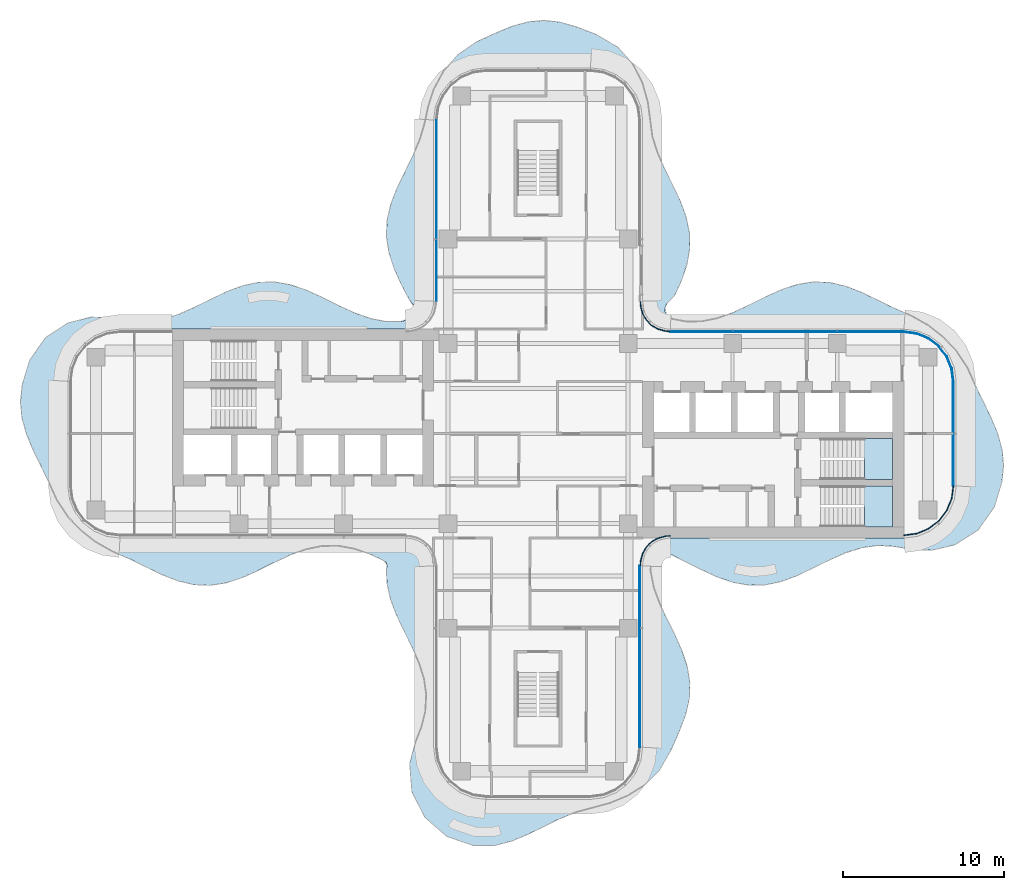
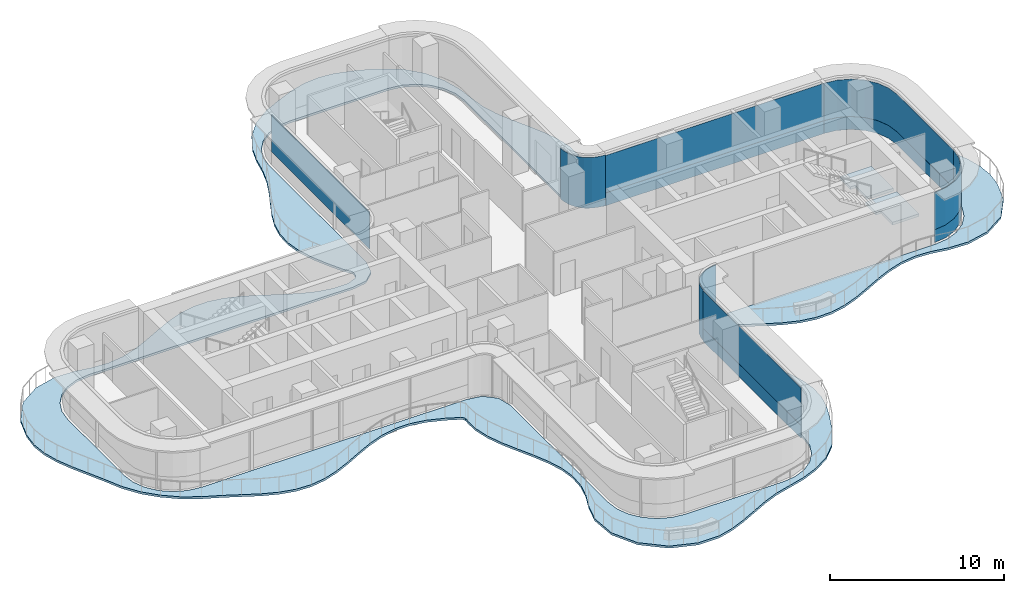
# One storey, part 9 of 16: 11 plates, 3 slabs, 9 elements without a shape of their own.
"""IFC4 building model written with IfcOpenShell, lengths in metres."""

from ifc_helpers import new_model, si_unit, direction, frame, origin, place, context, subcontext, project, spatial, polyline, outline, extrude, source, transform, mapped, material, layer, layer_set, type_object, element, aggregate, save


model = new_model("IFC4")

# Units and contexts
model_context = context("Model", 3, precision=1e-05, world=origin(), true_north=direction((0.0, 1.0)))
body_context = subcontext(model_context, "Body", "Model", "MODEL_VIEW")
ifc_project = project(units=[si_unit("LENGTHUNIT", "METRE"), si_unit("AREAUNIT", "SQUARE_METRE"), si_unit("VOLUMEUNIT", "CUBIC_METRE"), si_unit("PLANEANGLEUNIT", "RADIAN"), si_unit("MASSUNIT", "GRAM", prefix="KILO")], contexts=[model_context])

# Site, building, storey
site_placement = place(None, origin())
site = spatial("IfcSite", under=ifc_project, at=site_placement, CompositionType="ELEMENT")
building_placement = place(site_placement, origin())
building = spatial("IfcBuilding", under=site, at=building_placement, Name="Trellis Farm Tower", CompositionType="ELEMENT")
storey_placement = place(building_placement, frame((0.0, 0.0, 255.800048828125)))
storey = spatial("IfcBuildingStorey", under=building, at=storey_placement, Name="L57", CompositionType="ELEMENT", Elevation=255.800048828125)

# Slab
ifc_material_1 = material(Name="Concrete C40/50", Category="concrete")
ifc_layer_1 = layer(ifc_material_1, 0.14990234375)
ifc_layer_set_1 = layer_set([ifc_layer_1], Name="Balcony slab 150")
slab_type_1 = type_object("IfcSlabType", Name="Balcony slab 150", PredefinedType="FLOOR", material=ifc_layer_set_1)
slab_1_placement = place(storey_placement, frame((0.0, 0.0, -0.150146484375)))
element("IfcSlab", 1, at=slab_1_placement, inside=storey, type_object=slab_type_1, Name="Balcony slab", PredefinedType="FLOOR", context=body_context, shape_type="SweptSolid", body=[
    extrude(outline(polyline([(-27.558837890625, -6.70703125), (-28.428466796875, -6.01708984375), (-28.443115234375, -6.003662109375), (-29.22412109375, -5.194580078125), (-29.2412109375, -5.173095703125), (-29.922607421875, -4.142578125), (-29.93408203125, -4.121826171875), (-30.444091796875, -2.99658203125), (-30.445068359375, -2.99462890625), (-31.414306640625, -1.005126953125), (-31.41796875, -0.997314453125), (-31.826171875, -0.018798828125), (-31.832275390625, -0.001220703125), (-32.10107421875, 0.968505859375), (-32.10595703125, 0.99462890625), (-32.197021484375, 1.9609375), (-32.19677734375, 1.990478515625), (-32.08935546875, 3.014892578125), (-32.083984375, 3.042236328125), (-31.64111328125, 4.51806640625), (-31.62060546875, 4.560546875), (-30.648681640625, 5.956298828125), (-30.629638671875, 5.978515625), (-30.602783203125, 6.004638671875), (-30.579833984375, 6.022705078125), (-29.259765625, 6.876953125), (-29.21435546875, 6.896484375), (-27.80517578125, 7.24755859375), (-27.763427734375, 7.251953125), (-26.48681640625, 7.205078125), (-26.466552734375, 7.203125), (-25.396728515625, 7.0166015625), (-25.388427734375, 7.015625), (-24.418212890625, 6.956787109375), (-24.403564453125, 6.95751953125), (-23.358154296875, 7.101806640625), (-23.345703125, 7.104736328125), (-22.36962890625, 7.41552734375), (-22.362060546875, 7.41845703125), (-21.38134765625, 7.8525390625), (-21.37841796875, 7.85400390625), (-20.390380859375, 8.345947265625), (-20.3876953125, 8.34716796875), (-19.39306640625, 8.81884765625), (-19.38134765625, 8.82373046875), (-18.3955078125, 9.192626953125), (-18.37451171875, 9.19873046875), (-17.398681640625, 9.408447265625), (-17.370361328125, 9.41162109375), (-16.402587890625, 9.4326171875), (-16.37353515625, 9.430419921875), (-15.406982421875, 9.26220703125), (-15.384033203125, 9.25634765625), (-14.4111328125, 8.92333984375), (-14.397216796875, 8.91796875), (-13.420654296875, 8.4716796875), (-13.416015625, 8.469482421875), (-12.4248046875, 7.974365234375), (-12.422607421875, 7.973388671875), (-11.44091796875, 7.518310546875), (-11.43408203125, 7.515625), (-10.405029296875, 7.15478515625), (-10.39404296875, 7.151611328125), (-9.47021484375, 6.978515625), (-9.456298828125, 6.977294921875), (-8.518310546875, 6.978759765625), (-8.502685546875, 6.98046875), (-8.380126953125, 7.006591796875), (-8.36572265625, 7.01123046875), (-7.919921875, 7.20703125), (-7.90380859375, 7.216552734375), (-7.789794921875, 7.3056640625), (-7.767333984375, 7.334716796875), (-7.7099609375, 7.467529296875), (-7.70458984375, 7.485595703125), (-7.671630859375, 7.693359375), (-7.6708984375, 7.70849609375), (-7.676025390625, 7.826416015625), (-7.683349609375, 7.855224609375), (-7.734619140625, 7.961669921875), (-7.7421875, 7.97412109375), (-8.011474609375, 8.3310546875), (-8.0244140625, 8.351806640625), (-8.510009765625, 9.277099609375), (-8.51416015625, 9.285400390625), (-8.951171875, 10.257080078125), (-8.956787109375, 10.271728515625), (-9.277587890625, 11.243896484375), (-9.283447265625, 11.267578125), (-9.4365234375, 12.23388671875), (-9.438232421875, 12.26318359375), (-9.401123046875, 13.2314453125), (-9.3974609375, 13.25927734375), (-9.173095703125, 14.236083984375), (-9.1669921875, 14.25634765625), (-8.787109375, 15.242431640625), (-8.781982421875, 15.25439453125), (-7.814453125, 17.238037109375), (-7.81298828125, 17.2412109375), (-7.373046875, 18.259765625), (-7.3701171875, 18.267822265625), (-7.072998046875, 19.2568359375), (-7.0712890625, 19.2626953125), (-6.843994140625, 20.3271484375), (-6.840087890625, 20.341552734375), (-6.502685546875, 21.39599609375), (-6.4921875, 21.42138671875), (-5.906982421875, 22.510009765625), (-5.88818359375, 22.537109375), (-5.018310546875, 23.542236328125), (-4.989990234375, 23.567626953125), (-3.83056640625, 24.36572265625), (-3.8076171875, 24.378662109375), (-2.626220703125, 24.91650390625), (-2.621826171875, 24.91845703125), (-1.64404296875, 25.325927734375), (-1.6259765625, 25.332275390625), (-0.626220703125, 25.606689453125), (-0.599609375, 25.611328125), (0.37060546875, 25.69677734375), (0.399658203125, 25.6962890625), (1.336181640625, 25.595458984375), (1.361572265625, 25.590576171875), (2.361083984375, 25.302978515625), (2.372802734375, 25.29931640625), (3.5458984375, 24.854736328125), (3.568115234375, 24.843994140625), (4.92236328125, 24.057373046875), (4.958251953125, 24.028076171875), (5.869140625, 23.017333984375), (5.891357421875, 22.985107421875), (6.471923828125, 21.8505859375), (6.482666015625, 21.822998046875), (6.81591796875, 20.6416015625), (6.8203125, 20.619140625), (6.95361328125, 19.529296875), (6.95361328125, 19.52783203125), (7.10205078125, 18.482666015625), (7.104736328125, 18.470458984375), (7.41552734375, 17.49462890625), (7.41845703125, 17.487060546875), (7.8525390625, 16.50634765625), (7.85400390625, 16.50341796875), (8.345947265625, 15.515380859375), (8.34716796875, 15.5126953125), (8.81884765625, 14.51806640625), (8.82373046875, 14.50634765625), (9.192626953125, 13.5205078125), (9.19873046875, 13.49951171875), (9.408447265625, 12.523681640625), (9.41162109375, 12.495361328125), (9.4326171875, 11.527587890625), (9.430419921875, 11.49853515625), (9.26220703125, 10.531982421875), (9.25634765625, 10.509033203125), (8.92333984375, 9.5361328125), (8.91796875, 9.522216796875), (8.489501953125, 8.584228515625), (8.47509765625, 8.559326171875), (8.453369140625, 8.529052734375), (8.4345703125, 8.507568359375), (8.0576171875, 8.149658203125), (8.047119140625, 8.13720703125), (7.971435546875, 8.02490234375), (7.9638671875, 8.01025390625), (7.893310546875, 7.830322265625), (7.888427734375, 7.810546875), (7.87255859375, 7.65380859375), (7.879150390625, 7.61474609375), (7.947021484375, 7.472412109375), (7.9580078125, 7.45556640625), (8.128173828125, 7.260009765625), (8.147216796875, 7.244384765625), (8.3212890625, 7.143310546875), (8.3447265625, 7.134521484375), (9.197509765625, 6.972900390625), (9.21240234375, 6.971435546875), (10.191650390625, 6.986083984375), (10.205322265625, 6.9873046875), (11.130859375, 7.175048828125), (11.141357421875, 7.177978515625), (12.169189453125, 7.550537109375), (12.175537109375, 7.55322265625), (13.15771484375, 8.01416015625), (13.159423828125, 8.014892578125), (14.151611328125, 8.510009765625), (14.1572265625, 8.5126953125), (15.1494140625, 8.9580078125), (15.163818359375, 8.96337890625), (16.119140625, 9.27783203125), (16.142578125, 9.283447265625), (17.10888671875, 9.4365234375), (17.138427734375, 9.438232421875), (18.138671875, 9.396728515625), (18.166748046875, 9.392822265625), (19.134765625, 9.166015625), (19.154541015625, 9.15966796875), (20.117431640625, 8.787109375), (20.129150390625, 8.781982421875), (22.1142578125, 7.81396484375), (22.11669921875, 7.812744140625), (23.2158203125, 7.327880859375), (23.22900390625, 7.3212890625), (24.26708984375, 6.735107421875), (24.2861328125, 6.72216796875), (25.17822265625, 6.01708984375), (25.193115234375, 6.003662109375), (25.97412109375, 5.194580078125), (25.9912109375, 5.173095703125), (26.672607421875, 4.142578125), (26.68408203125, 4.121826171875), (27.194091796875, 2.99658203125), (27.195068359375, 2.99462890625), (28.164306640625, 1.00537109375), (28.16796875, 0.997314453125), (28.5830078125, -0.001708984375), (28.58935546875, -0.019775390625), (28.856689453125, -0.9990234375), (28.861328125, -1.025390625), (28.94677734375, -1.99560546875), (28.946533203125, -2.0244140625), (28.845458984375, -2.98388671875), (28.840087890625, -3.010986328125), (28.39111328125, -4.517822265625), (28.37060546875, -4.560791015625), (27.398681640625, -5.956298828125), (27.379638671875, -5.978515625), (27.35302734375, -6.00439453125), (27.32958984375, -6.02294921875), (25.95654296875, -6.89990234375), (25.910400390625, -6.91943359375), (24.506591796875, -7.252685546875), (24.4658203125, -7.256591796875), (23.236328125, -7.205322265625), (23.216796875, -7.203125), (22.146728515625, -7.0166015625), (22.138427734375, -7.015625), (21.168212890625, -6.956787109375), (21.15380859375, -6.957275390625), (20.165283203125, -7.089111328125), (20.152587890625, -7.091796875), (19.119873046875, -7.41552734375), (19.11181640625, -7.41845703125), (18.13134765625, -7.8525390625), (18.12841796875, -7.85400390625), (17.140380859375, -8.345947265625), (17.1376953125, -8.34716796875), (16.14306640625, -8.81884765625), (16.13134765625, -8.82373046875), (15.1455078125, -9.192626953125), (15.12451171875, -9.19873046875), (14.148681640625, -9.408447265625), (14.120361328125, -9.41162109375), (13.152587890625, -9.4326171875), (13.12353515625, -9.430419921875), (12.156982421875, -9.26220703125), (12.134033203125, -9.25634765625), (11.1611328125, -8.92333984375), (11.147216796875, -8.91796875), (10.1650390625, -8.468994140625), (10.16064453125, -8.467041015625), (8.272216796875, -7.52880859375), (8.260009765625, -7.52392578125), (7.781494140625, -7.3828125), (7.76416015625, -7.3798828125), (7.63427734375, -7.373291015625), (7.601806640625, -7.37890625), (7.481201171875, -7.4296875), (7.466796875, -7.43798828125), (7.19677734375, -7.632080078125), (7.18505859375, -7.642578125), (7.102294921875, -7.733642578125), (7.0869140625, -7.760498046875), (7.048828125, -7.877685546875), (7.045654296875, -7.89306640625), (6.9853515625, -8.48193359375), (6.985107421875, -8.4931640625), (6.98974609375, -8.5869140625), (6.9912109375, -8.598388671875), (7.189208984375, -9.55615234375), (7.1923828125, -9.56689453125), (7.550537109375, -10.54443359375), (7.552978515625, -10.55029296875), (8.01416015625, -11.53271484375), (8.014892578125, -11.534423828125), (8.510009765625, -12.526611328125), (8.5126953125, -12.5322265625), (8.9580078125, -13.5244140625), (8.96337890625, -13.538818359375), (9.27783203125, -14.494140625), (9.283447265625, -14.517578125), (9.4365234375, -15.48388671875), (9.438232421875, -15.51318359375), (9.401123046875, -16.4814453125), (9.3974609375, -16.50927734375), (9.173095703125, -17.486083984375), (9.1669921875, -17.50634765625), (8.781982421875, -18.505126953125), (8.77978515625, -18.5107421875), (8.298828125, -19.620361328125), (8.29150390625, -19.63525390625), (7.565673828125, -20.8994140625), (7.541748046875, -20.9306640625), (6.607421875, -21.86669921875), (6.579833984375, -21.888427734375), (5.566650390625, -22.51220703125), (5.54541015625, -22.52294921875), (4.489990234375, -22.961181640625), (4.4716796875, -22.967529296875), (2.344482421875, -23.544189453125), (2.335693359375, -23.547119140625), (1.356201171875, -23.947021484375), (1.351318359375, -23.94921875), (-0.61962890625, -24.914306640625), (-0.6279296875, -24.91796875), (-1.605712890625, -25.325927734375), (-1.624267578125, -25.332275390625), (-2.625, -25.60400390625), (-2.663330078125, -25.609130859375), (-4.002685546875, -25.616943359375), (-4.051513671875, -25.609130859375), (-5.609375, -25.08349609375), (-5.635986328125, -25.071533203125), (-5.668701171875, -25.052978515625), (-5.6923828125, -25.0361328125), (-7.01904296875, -23.88818359375), (-7.0390625, -23.866943359375), (-7.062255859375, -23.837158203125), (-7.077880859375, -23.8125), (-7.847412109375, -22.291748046875), (-7.85791015625, -22.2646484375), (-7.8681640625, -22.228759765625), (-7.873291015625, -22.19921875), (-7.994873046875, -20.572998046875), (-7.990234375, -20.523681640625), (-7.65966796875, -19.268798828125), (-7.654296875, -19.252685546875), (-7.255126953125, -18.22607421875), (-7.252197265625, -18.217041015625), (-7.02197265625, -17.285888671875), (-7.019775390625, -17.272216796875), (-6.959716796875, -16.224609375), (-6.960205078125, -16.20947265625), (-7.101806640625, -15.23291015625), (-7.1044921875, -15.22119140625), (-7.402099609375, -14.28076171875), (-7.40478515625, -14.27294921875), (-7.8525390625, -13.25634765625), (-7.85400390625, -13.253173828125), (-8.344482421875, -12.268310546875), (-8.345703125, -12.265625), (-8.813232421875, -11.28125), (-8.818115234375, -11.27001953125), (-9.185546875, -10.294677734375), (-9.191650390625, -10.27392578125), (-9.404296875, -9.30615234375), (-9.40771484375, -9.2783203125), (-9.4326171875, -8.438720703125), (-9.4287109375, -8.3994140625), (-9.4052734375, -8.3017578125), (-9.403076171875, -8.284912109375), (-9.40234375, -8.15185546875), (-9.40966796875, -8.119140625), (-9.4638671875, -8.00732421875), (-9.48486328125, -7.981201171875), (-9.589599609375, -7.899658203125), (-9.604248046875, -7.890625), (-10.407958984375, -7.518310546875), (-10.414794921875, -7.515625), (-11.443603515625, -7.15478515625), (-11.455078125, -7.151611328125), (-12.44580078125, -6.97265625), (-12.46044921875, -6.971435546875), (-13.44140625, -6.986083984375), (-13.45556640625, -6.987548828125), (-14.431396484375, -7.189208984375), (-14.44189453125, -7.1923828125), (-15.390625, -7.53857421875), (-15.396728515625, -7.541259765625), (-16.400146484375, -8.010498046875), (-16.40185546875, -8.01123046875), (-17.401611328125, -8.510009765625), (-17.4072265625, -8.5126953125), (-18.399169921875, -8.957763671875), (-18.4140625, -8.96337890625), (-19.396484375, -9.284423828125), (-19.42041015625, -9.2900390625), (-20.39306640625, -9.4384765625), (-20.422607421875, -9.440185546875), (-21.388916015625, -9.396728515625), (-21.41650390625, -9.39306640625), (-22.384765625, -9.166015625), (-22.404541015625, -9.15966796875), (-23.380126953125, -8.78173828125), (-23.3916015625, -8.776611328125), (-25.3642578125, -7.81396484375), (-25.36669921875, -7.812744140625), (-26.481201171875, -7.3203125), (-26.49462890625, -7.3134765625), (-27.53955078125, -6.719970703125), (-27.558837890625, -6.70703125)]), holes=[polyline([(-6.794921875, 7.27783203125), (-7.40673828125, 6.7138671875), (-7.4423828125, 6.689453125), (-7.49072265625, 6.665771484375), (-7.53173828125, 6.65234375), (-8.406494140625, 6.50439453125), (-8.431396484375, 6.50244140625), (-21.205810546875, 6.50048828125), (-26.0, 6.50048828125), (-26.84130859375, 6.389892578125), (-27.625244140625, 6.065185546875), (-28.298583984375, 5.548583984375), (-28.815185546875, 4.875244140625), (-29.139892578125, 4.09130859375), (-29.25048828125, 3.25), (-29.25048828125, -3.25), (-29.139892578125, -4.09130859375), (-28.815185546875, -4.875244140625), (-28.298583984375, -5.548583984375), (-27.625244140625, -6.065185546875), (-26.84130859375, -6.389892578125), (-26.0, -6.50048828125), (-8.453125, -6.50048828125), (-8.435791015625, -6.501953125), (-7.531982421875, -6.652587890625), (-7.490478515625, -6.665771484375), (-7.4423828125, -6.689453125), (-7.40673828125, -6.7138671875), (-6.794921875, -7.27783203125), (-6.767578125, -7.311279296875), (-6.740234375, -7.357421875), (-6.723388671875, -7.398193359375), (-6.50439453125, -8.28369140625), (-6.50048828125, -8.31494140625), (-6.50048828125, -19.5), (-6.389892578125, -20.34130859375), (-6.065185546875, -21.125244140625), (-5.548583984375, -21.798583984375), (-4.875244140625, -22.315185546875), (-4.09130859375, -22.639892578125), (-3.25, -22.75048828125), (3.25, -22.75048828125), (4.09130859375, -22.639892578125), (4.875244140625, -22.315185546875), (5.548583984375, -21.798583984375), (6.065185546875, -21.125244140625), (6.389892578125, -20.34130859375), (6.50048828125, -19.5), (6.50048828125, -14.017822265625), (6.50146484375, -8.5390625), (6.50244140625, -8.5205078125), (6.61474609375, -7.626708984375), (6.62548828125, -7.5869140625), (6.6455078125, -7.539306640625), (6.66650390625, -7.50390625), (7.1875, -6.853515625), (7.22021484375, -6.8232421875), (7.265380859375, -6.79248046875), (7.306640625, -6.772705078125), (8.177734375, -6.510009765625), (8.220947265625, -6.503662109375), (19.881591796875, -6.50048828125), (22.75, -6.50048828125), (23.59130859375, -6.389892578125), (24.375244140625, -6.065185546875), (25.048583984375, -5.548583984375), (25.565185546875, -4.875244140625), (25.889892578125, -4.09130859375), (26.00048828125, -3.25), (26.00048828125, 3.25), (25.889892578125, 4.09130859375), (25.565185546875, 4.875244140625), (25.048583984375, 5.548583984375), (24.375244140625, 6.065185546875), (23.59130859375, 6.389892578125), (22.75, 6.50048828125), (19.881591796875, 6.50048828125), (8.220947265625, 6.503662109375), (8.177734375, 6.510009765625), (7.306640625, 6.772705078125), (7.265380859375, 6.79248046875), (7.22021484375, 6.8232421875), (7.1875, 6.853515625), (6.66650390625, 7.50390625), (6.6455078125, 7.539306640625), (6.62548828125, 7.5869140625), (6.61474609375, 7.626953125), (6.501220703125, 8.542236328125), (6.50048828125, 8.551025390625), (6.50048828125, 19.5), (6.389892578125, 20.34130859375), (6.065185546875, 21.125244140625), (5.548583984375, 21.798583984375), (4.875244140625, 22.315185546875), (4.09130859375, 22.639892578125), (3.25, 22.75048828125), (-3.25, 22.75048828125), (-4.09130859375, 22.639892578125), (-4.875244140625, 22.315185546875), (-5.548583984375, 21.798583984375), (-6.065185546875, 21.125244140625), (-6.389892578125, 20.34130859375), (-6.50048828125, 19.5), (-6.50048828125, 8.31494140625), (-6.50439453125, 8.28369140625), (-6.723388671875, 7.398193359375), (-6.740234375, 7.357421875), (-6.767578125, 7.311279296875), (-6.794921875, 7.27783203125)])]), origin(), (0.0, 0.0, 1.0), 0.150146484375),
])

# Stair, slab
ifc_material_2 = material(Name="Concrete C50/60", Category="concrete")
stair_type = type_object("IfcStairType", Name="CORE EXIT STAIR 22 RISERS 177 MM", PredefinedType="HALF_TURN_STAIR", material=ifc_material_2)
placement_1 = place(storey_placement, origin())
stair_1 = element("IfcStair", 2, at=placement_1, inside=storey, type_object=stair_type, Name="Exit stair E1", PredefinedType="HALF_TURN_STAIR")
ifc_layer_2 = layer(ifc_material_2, 0.18994140625)
ifc_layer_set_2 = layer_set([ifc_layer_2], Name="CORE STAIR LANDING 190 CONCRETE C50/60")
slab_type_2 = type_object("IfcSlabType", Name="CORE STAIR LANDING 190 CONCRETE C50/60", PredefinedType="LANDING", material=ifc_layer_set_2)
shared_shape_1 = source(origin(), body_context, "Body", "SweptSolid", [
    extrude(outline(polyline([(20.2900390625, -5.800048828125), (20.2900390625, -4.60009765625), (20.300048828125, -4.60009765625), (20.300048828125, -4.449951171875), (19.971923828125, -4.449951171875), (19.971923828125, -3.25), (20.300048828125, -3.25), (22.050048828125, -3.25), (22.050048828125, -5.800048828125), (20.300048828125, -5.800048828125), (20.2900390625, -5.800048828125)])), origin(), (0.0, 0.0, 1.0), 0.18994140625),
])
placement_2 = place(storey_placement, frame((0.0, 0.0, 1.760009765625)))
slab_2 = element("IfcSlab", 3, at=placement_2, type_object=slab_type_2, Name="STE1 landing 1", PredefinedType="LANDING", context=body_context, shape_type="MappedRepresentation", body=[
    mapped(shared_shape_1, transform((0.0, 0.0, 0.0))),
])
aggregate(stair_1, [slab_2])

stair_2 = element("IfcStair", 4, at=placement_1, inside=storey, type_object=stair_type, Name="Exit stair E2", PredefinedType="HALF_TURN_STAIR")
shared_shape_2 = source(origin(), body_context, "Body", "SweptSolid", [
    extrude(outline(polyline([(20.2900390625, -2.85009765625), (20.2900390625, -1.64990234375), (20.300048828125, -1.64990234375), (20.300048828125, -1.5), (19.971923828125, -1.5), (19.971923828125, -0.300048828125), (20.300048828125, -0.300048828125), (22.050048828125, -0.300048828125), (22.050048828125, -2.85009765625), (20.300048828125, -2.85009765625), (20.2900390625, -2.85009765625)])), origin(), (0.0, 0.0, 1.0), 0.18994140625),
])
slab_3 = element("IfcSlab", 5, at=placement_2, type_object=slab_type_2, Name="STE2 landing 1", PredefinedType="LANDING", context=body_context, shape_type="MappedRepresentation", body=[
    mapped(shared_shape_2, transform((0.0, 0.0, 0.0))),
])
aggregate(stair_2, [slab_3])

# Curtain wall, plate
ifc_material_3 = material(Name="Aluminium and glass curtain wall", Category="aluminium")
ifc_layer_3 = layer(ifc_material_3, 0.166015625)
ifc_layer_set_3 = layer_set([ifc_layer_3], Name="WINTER GARDEN CURTAIN WALL CW3")
curtain_wall_type_1 = type_object("IfcCurtainWallType", Name="WINTER GARDEN CURTAIN WALL CW3", PredefinedType="NOTDEFINED", material=ifc_layer_set_3)
curtain_wall_1 = element("IfcCurtainWall", 6, at=placement_1, inside=storey, type_object=curtain_wall_type_1, Name="CW3 002", PredefinedType="NOTDEFINED")
ifc_material_4 = material(Name="Clear insulated glass", Category="glass")
ifc_layer_4 = layer(ifc_material_4, 0.0458984375)
ifc_layer_set_4 = layer_set([ifc_layer_4], Name="CW3 GLASS PANEL 46")
plate_type_1 = type_object("IfcPlateType", Name="CW3 GLASS PANEL 46", PredefinedType="CURTAIN_PANEL", material=ifc_layer_set_4)
shared_shape_3 = source(origin(), body_context, "Body", "SweptSolid", [
    extrude(outline(polyline([(6.3798828125, -8.2275390625), (6.394287109375, -8.0078125), (6.40966796875, -7.89208984375), (6.52490234375, -7.462158203125), (6.7509765625, -7.070556640625), (7.070556640625, -6.7509765625), (7.462158203125, -6.52490234375), (7.89208984375, -6.40966796875), (8.0078125, -6.394287109375), (8.2275390625, -6.3798828125), (8.22607421875, -6.333984375), (8.003173828125, -6.3486328125), (7.883056640625, -6.364501953125), (7.4443359375, -6.48193359375), (7.04248046875, -6.714111328125), (6.714111328125, -7.04248046875), (6.48193359375, -7.4443359375), (6.364501953125, -7.883056640625), (6.3486328125, -8.003173828125), (6.333984375, -8.22607421875), (6.3798828125, -8.2275390625)])), origin(), (0.0, 0.0, 1.0), 3.550048828125),
])
plate_1 = element("IfcPlate", 7, at=placement_1, type_object=plate_type_1, Name="PL3 002", PredefinedType="CURTAIN_PANEL", context=body_context, shape_type="MappedRepresentation", body=[
    mapped(shared_shape_3, transform((0.0, 0.0, 0.0))),
])
aggregate(curtain_wall_1, [plate_1])

curtain_wall_2 = element("IfcCurtainWall", 8, at=placement_1, inside=storey, type_object=curtain_wall_type_1, Name="CW3 003", PredefinedType="NOTDEFINED")
shared_shape_4 = source(origin(), body_context, "Body", "SweptSolid", [
    extrude(outline(polyline([(8.2275390625, 6.3798828125), (8.0078125, 6.394287109375), (7.89208984375, 6.40966796875), (7.462158203125, 6.52490234375), (7.070556640625, 6.7509765625), (6.7509765625, 7.070556640625), (6.52490234375, 7.462158203125), (6.40966796875, 7.89208984375), (6.394287109375, 8.0078125), (6.3798828125, 8.2275390625), (6.333984375, 8.22607421875), (6.3486328125, 8.003173828125), (6.364501953125, 7.883056640625), (6.48193359375, 7.4443359375), (6.714111328125, 7.04248046875), (7.04248046875, 6.714111328125), (7.4443359375, 6.48193359375), (7.883056640625, 6.364501953125), (8.003173828125, 6.3486328125), (8.22607421875, 6.333984375), (8.2275390625, 6.3798828125)])), origin(), (0.0, 0.0, 1.0), 3.550048828125),
])
plate_2 = element("IfcPlate", 9, at=placement_1, type_object=plate_type_1, Name="PL3 003", PredefinedType="CURTAIN_PANEL", context=body_context, shape_type="MappedRepresentation", body=[
    mapped(shared_shape_4, transform((0.0, 0.0, 0.0))),
])
aggregate(curtain_wall_2, [plate_2])

ifc_layer_5 = layer(ifc_material_3, 0.18994140625)
ifc_layer_set_5 = layer_set([ifc_layer_5], Name="RIBBON CURTAIN WALL CW1")
curtain_wall_type_2 = type_object("IfcCurtainWallType", Name="RIBBON CURTAIN WALL CW1", PredefinedType="NOTDEFINED", material=ifc_layer_set_5)
curtain_wall_3 = element("IfcCurtainWall", 10, at=placement_1, inside=storey, type_object=curtain_wall_type_2, Name="CW1 011", PredefinedType="NOTDEFINED")
ifc_layer_6 = layer(ifc_material_4, 0.0400390625)
ifc_layer_set_6 = layer_set([ifc_layer_6], Name="CW1 GLASS PANEL 40")
plate_type_2 = type_object("IfcPlateType", Name="CW1 GLASS PANEL 40", PredefinedType="CURTAIN_PANEL", material=ifc_layer_set_6)
shared_shape_5 = source(origin(), body_context, "Body", "SweptSolid", [
    extrude(outline(polyline([(-6.35009765625, 19.490234375), (-6.35009765625, 8.2265625), (-6.31005859375, 8.22509765625), (-6.31005859375, 19.487548828125), (-6.35009765625, 19.490234375)])), origin(), (0.0, 0.0, 1.0), 2.6201171875),
])
placement_3 = place(storey_placement, frame((0.0, 0.0, 0.89990234375)))
plate_3 = element("IfcPlate", 11, at=placement_3, type_object=plate_type_2, Name="PL1 011", PredefinedType="CURTAIN_PANEL", context=body_context, shape_type="MappedRepresentation", body=[
    mapped(shared_shape_5, transform((0.0, 0.0, 0.0))),
])
aggregate(curtain_wall_3, [plate_3])

# Curtain wall, plates
curtain_wall_4 = element("IfcCurtainWall", 12, at=placement_1, inside=storey, type_object=curtain_wall_type_2, Name="CW1 005", PredefinedType="NOTDEFINED")
shared_shape_6 = source(origin(), body_context, "Body", "SweptSolid", [
    extrude(outline(polyline([(22.740234375, -6.35009765625), (23.552001953125, -6.2431640625), (24.29931640625, -5.93359375), (24.941162109375, -5.441162109375), (25.43359375, -4.79931640625), (25.7431640625, -4.052001953125), (25.85009765625, -3.240234375), (25.81005859375, -3.237548828125), (25.7041015625, -4.04150390625), (25.398681640625, -4.779296875), (24.91259765625, -5.41259765625), (24.279296875, -5.898681640625), (23.54150390625, -6.2041015625), (22.737548828125, -6.31005859375), (22.740234375, -6.35009765625)])), origin(), (0.0, 0.0, 1.0), 2.6201171875),
])
plate_4 = element("IfcPlate", 13, at=placement_3, type_object=plate_type_2, Name="PL1 005", PredefinedType="CURTAIN_PANEL", context=body_context, shape_type="MappedRepresentation", body=[
    mapped(shared_shape_6, transform((0.0, 0.0, 0.0))),
])
ifc_material_5 = material(Name="Sandstone faced insulated panel", Category="masonry")
ifc_layer_7 = layer(ifc_material_5, 0.050048828125)
ifc_layer_set_7 = layer_set([ifc_layer_7], Name="CW1 STONE SPANDREL PANEL 50")
plate_type_3 = type_object("IfcPlateType", Name="CW1 STONE SPANDREL PANEL 50", PredefinedType="CURTAIN_PANEL", material=ifc_layer_set_7)
shared_shape_7 = source(origin(), body_context, "Body", "SweptSolid", [
    extrude(outline(polyline([(22.740234375, -6.35009765625), (23.552001953125, -6.2431640625), (24.29931640625, -5.93359375), (24.941162109375, -5.441162109375), (25.43359375, -4.79931640625), (25.7431640625, -4.052001953125), (25.85009765625, -3.240234375), (25.800048828125, -3.23681640625), (25.6943359375, -4.0390625), (25.389892578125, -4.774169921875), (24.905517578125, -5.405517578125), (24.274169921875, -5.889892578125), (23.5390625, -6.1943359375), (22.73681640625, -6.300048828125), (22.740234375, -6.35009765625)])), origin(), (0.0, 0.0, 1.0), 0.89990234375),
])
plate_5 = element("IfcPlate", 14, at=placement_1, type_object=plate_type_3, Name="PS1 005", PredefinedType="CURTAIN_PANEL", context=body_context, shape_type="MappedRepresentation", body=[
    mapped(shared_shape_7, transform((0.0, 0.0, 0.0))),
])
aggregate(curtain_wall_4, [plate_4, plate_5])

curtain_wall_5 = element("IfcCurtainWall", 15, at=placement_1, inside=storey, type_object=curtain_wall_type_2, Name="CW1 006", PredefinedType="NOTDEFINED")
shared_shape_8 = source(origin(), body_context, "Body", "SweptSolid", [
    extrude(outline(polyline([(25.85009765625, -3.240234375), (25.85009765625, 3.240234375), (25.7431640625, 4.052001953125), (25.43359375, 4.79931640625), (24.941162109375, 5.441162109375), (24.29931640625, 5.93359375), (23.552001953125, 6.2431640625), (22.740234375, 6.35009765625), (22.737548828125, 6.31005859375), (23.54150390625, 6.2041015625), (24.279296875, 5.898681640625), (24.91259765625, 5.41259765625), (25.398681640625, 4.779296875), (25.7041015625, 4.04150390625), (25.81005859375, 3.237548828125), (25.81005859375, -3.237548828125), (25.85009765625, -3.240234375)])), origin(), (0.0, 0.0, 1.0), 2.6201171875),
])
plate_6 = element("IfcPlate", 16, at=placement_3, type_object=plate_type_2, Name="PL1 006", PredefinedType="CURTAIN_PANEL", context=body_context, shape_type="MappedRepresentation", body=[
    mapped(shared_shape_8, transform((0.0, 0.0, 0.0))),
])
shared_shape_9 = source(origin(), body_context, "Body", "SweptSolid", [
    extrude(outline(polyline([(25.85009765625, -3.240234375), (25.85009765625, 3.240234375), (25.7431640625, 4.052001953125), (25.43359375, 4.79931640625), (24.941162109375, 5.441162109375), (24.29931640625, 5.93359375), (23.552001953125, 6.2431640625), (22.740234375, 6.35009765625), (22.73681640625, 6.300048828125), (23.5390625, 6.1943359375), (24.274169921875, 5.889892578125), (24.905517578125, 5.405517578125), (25.389892578125, 4.774169921875), (25.6943359375, 4.0390625), (25.800048828125, 3.23681640625), (25.800048828125, -3.23681640625), (25.85009765625, -3.240234375)])), origin(), (0.0, 0.0, 1.0), 0.89990234375),
])
plate_7 = element("IfcPlate", 17, at=placement_1, type_object=plate_type_3, Name="PS1 006", PredefinedType="CURTAIN_PANEL", context=body_context, shape_type="MappedRepresentation", body=[
    mapped(shared_shape_9, transform((0.0, 0.0, 0.0))),
])
aggregate(curtain_wall_5, [plate_6, plate_7])

curtain_wall_6 = element("IfcCurtainWall", 18, at=placement_1, inside=storey, type_object=curtain_wall_type_2, Name="CW1 007", PredefinedType="NOTDEFINED")
shared_shape_10 = source(origin(), body_context, "Body", "SweptSolid", [
    extrude(outline(polyline([(22.740234375, 6.35009765625), (8.2265625, 6.35009765625), (8.22509765625, 6.31005859375), (22.737548828125, 6.31005859375), (22.740234375, 6.35009765625)])), origin(), (0.0, 0.0, 1.0), 2.6201171875),
])
plate_8 = element("IfcPlate", 19, at=placement_3, type_object=plate_type_2, Name="PL1 007", PredefinedType="CURTAIN_PANEL", context=body_context, shape_type="MappedRepresentation", body=[
    mapped(shared_shape_10, transform((0.0, 0.0, 0.0))),
])
shared_shape_11 = source(origin(), body_context, "Body", "SweptSolid", [
    extrude(outline(polyline([(22.740234375, 6.35009765625), (8.2265625, 6.35009765625), (8.224853515625, 6.300048828125), (22.73681640625, 6.300048828125), (22.740234375, 6.35009765625)])), origin(), (0.0, 0.0, 1.0), 0.89990234375),
])
plate_9 = element("IfcPlate", 20, at=placement_1, type_object=plate_type_3, Name="PS1 007", PredefinedType="CURTAIN_PANEL", context=body_context, shape_type="MappedRepresentation", body=[
    mapped(shared_shape_11, transform((0.0, 0.0, 0.0))),
])
aggregate(curtain_wall_6, [plate_8, plate_9])

curtain_wall_7 = element("IfcCurtainWall", 21, at=placement_1, inside=storey, type_object=curtain_wall_type_2, Name="CW1 004", PredefinedType="NOTDEFINED")
shared_shape_12 = source(origin(), body_context, "Body", "SweptSolid", [
    extrude(outline(polyline([(6.35009765625, -19.490234375), (6.35009765625, -8.2265625), (6.31005859375, -8.22509765625), (6.31005859375, -19.487548828125), (6.35009765625, -19.490234375)])), origin(), (0.0, 0.0, 1.0), 2.6201171875),
])
plate_10 = element("IfcPlate", 22, at=placement_3, type_object=plate_type_2, Name="PL1 004", PredefinedType="CURTAIN_PANEL", context=body_context, shape_type="MappedRepresentation", body=[
    mapped(shared_shape_12, transform((0.0, 0.0, 0.0))),
])
shared_shape_13 = source(origin(), body_context, "Body", "SweptSolid", [
    extrude(outline(polyline([(6.35009765625, -19.490234375), (6.35009765625, -8.2265625), (6.300048828125, -8.224853515625), (6.300048828125, -19.48681640625), (6.35009765625, -19.490234375)])), origin(), (0.0, 0.0, 1.0), 0.89990234375),
])
plate_11 = element("IfcPlate", 23, at=placement_1, type_object=plate_type_3, Name="PS1 004", PredefinedType="CURTAIN_PANEL", context=body_context, shape_type="MappedRepresentation", body=[
    mapped(shared_shape_13, transform((0.0, 0.0, 0.0))),
])
aggregate(curtain_wall_7, [plate_10, plate_11])

save(model, "model.ifc")
